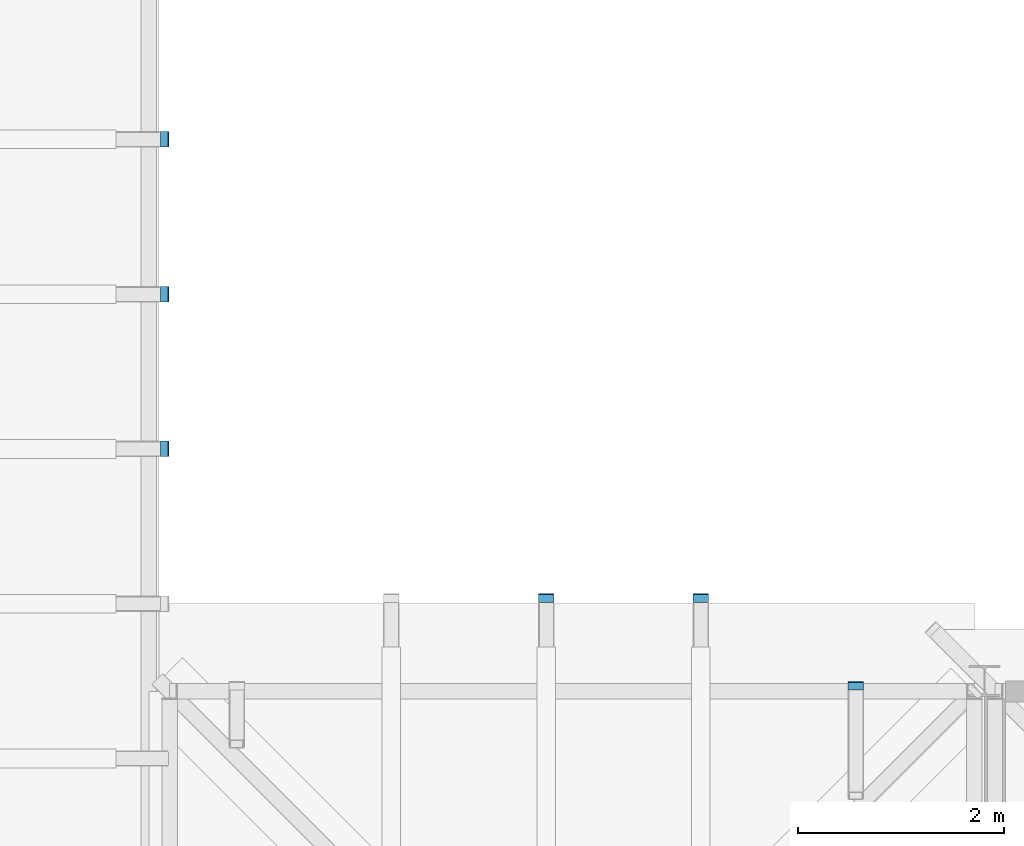
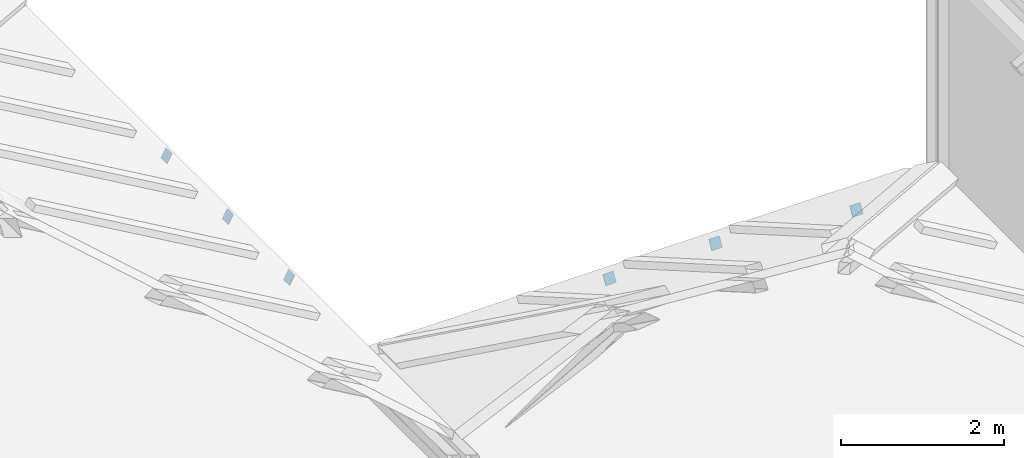
# One storey, part 79 of 111: 6 discrete accessories.
"""IFC4 building model written with IfcOpenShell, lengths in metres."""

from ifc_helpers import new_model, si_unit, direction, frame, origin, origin_2d, place, context, subcontext, project, spatial, rectangle, extrude, material, material_profile, profile_set, type_object, element, save


model = new_model("IFC4")

# Units and contexts
model_context = context("Model", 3, precision=1e-05, world=origin(), true_north=direction((0.0, 1.0)))
body_context = subcontext(model_context, "Body", "Model", "MODEL_VIEW")
ifc_project = project(units=[si_unit("LENGTHUNIT", "METRE"), si_unit("AREAUNIT", "SQUARE_METRE"), si_unit("VOLUMEUNIT", "CUBIC_METRE"), si_unit("PLANEANGLEUNIT", "RADIAN"), si_unit("MASSUNIT", "GRAM", prefix="KILO")], contexts=[model_context])

# Site, building, storey
site_placement = place(None, origin())
site = spatial("IfcSite", under=ifc_project, at=site_placement, CompositionType="ELEMENT")
building_placement = place(site_placement, origin())
building = spatial("IfcBuilding", under=site, at=building_placement, Name="Kallimachos Central Library", CompositionType="ELEMENT")
storey_placement = place(building_placement, frame((0.0, 0.0, 14.39990234375)))
storey = spatial("IfcBuildingStorey", under=building, at=storey_placement, Name="L03", CompositionType="ELEMENT", Elevation=14.39990234375)

# Discrete accessories
ifc_material = material(Name="Steel S355J2", Category="steel")
ifc_material_profile = material_profile(ifc_material, rectangle(XDim=0.14990234375, YDim=0.14990234375, at=origin_2d()), Name="End cap plate 10, 150x150")
ifc_profile_set = profile_set([ifc_material_profile], Name="Steel S355J2")
discrete_accessory_type = type_object("IfcDiscreteAccessoryType", Name="End cap plate 10, 150x150", PredefinedType="BRACKET", material=ifc_profile_set)
for number, where, z_axis, x_axis, name in (
    (1, (14.05859375, 20.25, 0.295166015625), (-0.868243142124, 0.0, 0.496138938357), (0.0, -1.0, 0.0), "End cap plate"),
    (2, (14.05859375, 21.75, 0.295166015625), (-0.868243142124, 0.0, 0.496138938357), (0.0, -1.0, 0.0), "End cap plate"),
    (3, (14.05859375, 23.25, 0.295166015625), (-0.868243142124, 0.0, 0.496138938357), (0.0, -1.0, 0.0), "End cap plate"),
):
    element("IfcDiscreteAccessory", number, at=place(storey_placement, frame(where, z_axis=z_axis, x_axis=x_axis)), inside=storey, type_object=discrete_accessory_type, Name=name, PredefinedType="BRACKET", context=body_context, shape_type="SweptSolid", body=[
        extrude(rectangle(XDim=0.14990234375, YDim=0.14990234375, at=origin_2d()), origin(), (0.0, 0.0, 1.0), 0.009765625),
    ])
for number, where, z_axis, x_axis, name in (
    (4, (17.75, 18.80859375, -0.137939453125), (0.0, -0.857492925713, 0.514495755428), (1.0, 0.0, 0.0), "End cap plate"),
    (5, (19.25, 18.80859375, -0.137939453125), (0.0, -0.857492925713, 0.514495755428), (1.0, 0.0, 0.0), "End cap plate"),
):
    element("IfcDiscreteAccessory", number, at=place(storey_placement, frame(where, z_axis=z_axis, x_axis=x_axis)), inside=storey, type_object=discrete_accessory_type, Name=name, PredefinedType="BRACKET", context=body_context, shape_type="SweptSolid", body=[
        extrude(rectangle(XDim=0.14990234375, YDim=0.14990234375, at=origin_2d()), origin(), (0.0, 0.0, 1.0), 0.010009765625),
    ])
discrete_accessory_placement = place(storey_placement, frame((20.75, 17.958740234375, 0.352783203125), z_axis=(0.0, -0.863778900898, 0.503871025524), x_axis=(1.0, 0.0, 0.0)))
element("IfcDiscreteAccessory", 6, at=discrete_accessory_placement, inside=storey, type_object=discrete_accessory_type, Name="End cap plate", PredefinedType="BRACKET", context=body_context, shape_type="SweptSolid", body=[
    extrude(rectangle(XDim=0.14990234375, YDim=0.14990234375, at=origin_2d()), origin(), (0.0, 0.0, 1.0), 0.01025390625),
])

save(model, "model.ifc")
